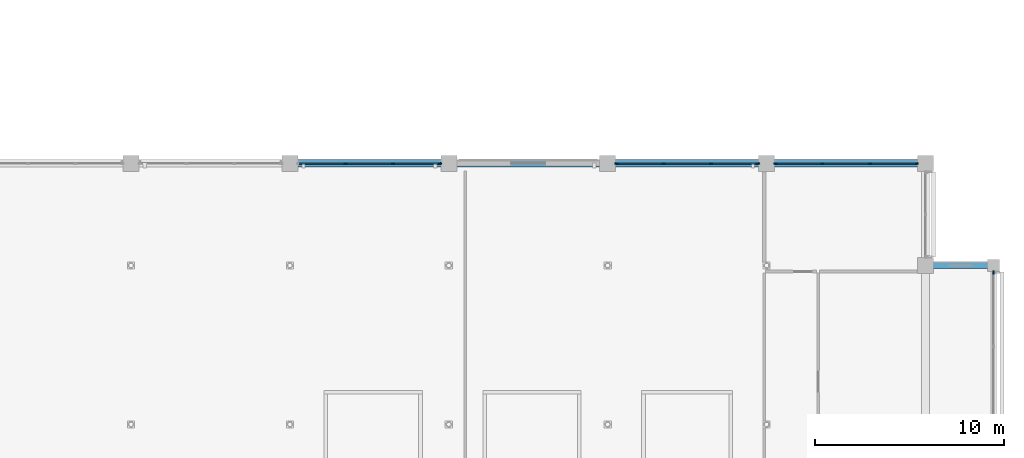
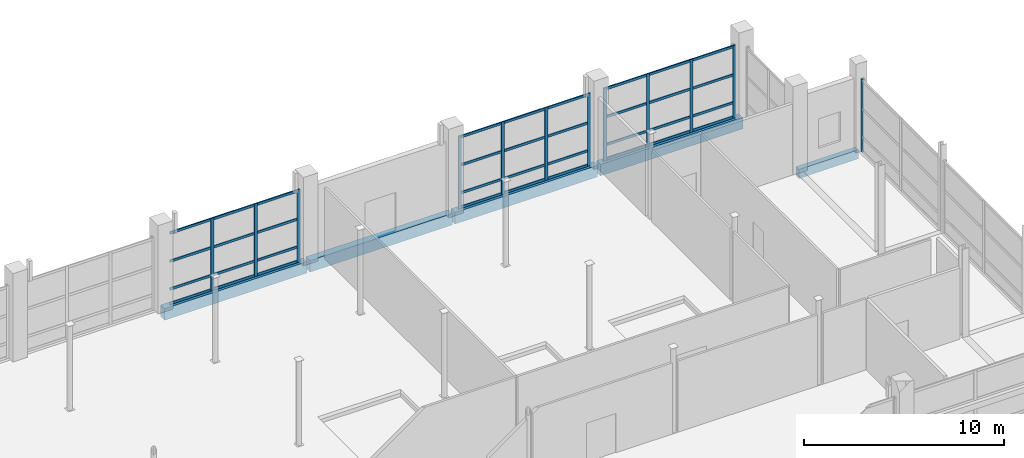
# One storey, part 43 of 140: 48 members, 5 beams, 4 elements without a shape of their own.
"""IFC4 building model written with IfcOpenShell, lengths in metres."""

from ifc_helpers import new_model, si_unit, direction, frame, origin, origin_2d, place, context, subcontext, project, spatial, rectangle, extrude, material, layer, layer_set, material_profile, profile_set, type_object, element, aggregate, save


model = new_model("IFC4")

# Units and contexts
model_context = context("Model", 3, precision=1e-05, world=origin(), true_north=direction((0.0, 1.0)))
body_context = subcontext(model_context, "Body", "Model", "MODEL_VIEW")
ifc_project = project(units=[si_unit("LENGTHUNIT", "METRE"), si_unit("AREAUNIT", "SQUARE_METRE"), si_unit("VOLUMEUNIT", "CUBIC_METRE"), si_unit("PLANEANGLEUNIT", "RADIAN"), si_unit("MASSUNIT", "GRAM", prefix="KILO")], contexts=[model_context])

# Site, building, storey
site_placement = place(None, origin())
site = spatial("IfcSite", under=ifc_project, at=site_placement, CompositionType="ELEMENT")
building_placement = place(site_placement, origin())
building = spatial("IfcBuilding", under=site, at=building_placement, Name="Telukmera Botanical Conservatory", CompositionType="ELEMENT")
storey_placement = place(building_placement, origin())
storey = spatial("IfcBuildingStorey", under=building, at=storey_placement, Name="L00", CompositionType="ELEMENT", Elevation=0.0)

# Beams
ifc_material_1 = material(Name="Concrete C40/50", Category="concrete")
ifc_material_profile_1 = material_profile(ifc_material_1, rectangle(XDim=0.300048828125, YDim=0.550048828125, at=origin_2d()), Name="RC 300x550")
ifc_profile_set_1 = profile_set([ifc_material_profile_1], Name="Concrete C40/50")
beam_type_1 = type_object("IfcBeamType", Name="Beam_B10", PredefinedType="BEAM", material=ifc_profile_set_1)
beam_1_placement = place(storey_placement, frame((168.080078125, 42.800048828125, -0.27490234375), z_axis=(1.0, 0.0, 0.0), x_axis=(0.0, 1.0, 0.0)))
element("IfcBeam", 1, at=beam_1_placement, inside=storey, type_object=beam_type_1, Name="Conservatory Beam beam:V1:L00:east_x:428", PredefinedType="BEAM", context=body_context, shape_type="SweptSolid", body=[
    extrude(rectangle(XDim=0.300048828125, YDim=0.550048828125, at=origin_2d()), origin(), (0.0, 0.0, 1.0), 3.43994140625),
])
ifc_material_profile_2 = material_profile(ifc_material_1, rectangle(XDim=0.39990234375, YDim=0.699951171875, at=origin_2d()), Name="RC 400x700")
ifc_profile_set_2 = profile_set([ifc_material_profile_2], Name="Concrete C40/50")
beam_type_2 = type_object("IfcBeamType", Name="Beam_B7", PredefinedType="BEAM", material=ifc_profile_set_2)
beam_2_placement = place(storey_placement, frame((134.47998046875, 48.199951171875, -0.35009765625), z_axis=(1.0, 0.0, 0.0), x_axis=(0.0, 1.0, 0.0)))
element("IfcBeam", 2, at=beam_2_placement, inside=storey, type_object=beam_type_2, Name="Conservatory Beam beam:V1:L00:gx:482:1344", PredefinedType="BEAM", context=body_context, shape_type="SweptSolid", body=[
    extrude(rectangle(XDim=0.39990234375, YDim=0.699951171875, at=origin_2d()), origin(), (0.0, 0.0, 1.0), 8.239990234375),
])
beam_3_placement = place(storey_placement, frame((142.8798828125, 48.199951171875, -0.35009765625), z_axis=(1.0, 0.0, 0.0), x_axis=(0.0, 1.0, 0.0)))
element("IfcBeam", 3, at=beam_3_placement, inside=storey, type_object=beam_type_2, Name="Conservatory Beam beam:V1:L00:gx:482:1428", PredefinedType="BEAM", context=body_context, shape_type="SweptSolid", body=[
    extrude(rectangle(XDim=0.39990234375, YDim=0.699951171875, at=origin_2d()), origin(), (0.0, 0.0, 1.0), 8.240234375),
])
for number, where, z_axis, x_axis, name in (
    (4, (151.280029296875, 48.199951171875, -0.35009765625), (1.0, 0.0, 0.0), (0.0, 1.0, 0.0), "Conservatory Beam beam:V1:L00:gx:482:1512"),
    (5, (159.679931640625, 48.199951171875, -0.35009765625), (1.0, 0.0, 0.0), (0.0, 1.0, 0.0), "Conservatory Beam beam:V1:L00:gx:482:1596"),
):
    element("IfcBeam", number, at=place(storey_placement, frame(where, z_axis=z_axis, x_axis=x_axis)), inside=storey, type_object=beam_type_2, Name=name, PredefinedType="BEAM", context=body_context, shape_type="SweptSolid", body=[
        extrude(rectangle(XDim=0.39990234375, YDim=0.699951171875, at=origin_2d()), origin(), (0.0, 0.0, 1.0), 8.239990234375),
    ])

# Curtain wall, members
ifc_material_2 = material(Name="Anodised aluminium 6063-T6", Category="aluminium")
ifc_layer_1 = layer(ifc_material_2, 0.179931640625)
ifc_layer_set_1 = layer_set([ifc_layer_1], Name="Anodised aluminium 6063-T6")
curtain_wall_type_1 = type_object("IfcCurtainWallType", Name="Conservatory Garden Unitised Curtain Wall 2800 Mod", PredefinedType="USERDEFINED", material=ifc_layer_set_1)
curtain_wall_1_placement = place(storey_placement, origin())
curtain_wall_1 = element("IfcCurtainWall", 6, at=curtain_wall_1_placement, inside=storey, type_object=curtain_wall_type_1, Name="Unitised Curtain Wall CW02 V1:L00:N3", ObjectType="UNITISED CURTAIN WALL", PredefinedType="USERDEFINED")
ifc_material_profile_3 = material_profile(ifc_material_2, rectangle(XDim=0.070068359375, YDim=0.179931640625, at=origin_2d()), Name="ALU MULL 70x180")
ifc_profile_set_3 = profile_set([ifc_material_profile_3], Name="Anodised aluminium 6063-T6")
member_type_1 = type_object("IfcMemberType", Name="Curtain Wall Extruded Mullion 70x180", PredefinedType="MULLION", material=ifc_profile_set_3)
member_1_placement = place(storey_placement, frame((137.34228515625, 48.199951171875, 0.0), z_axis=(0.0, 0.0, 1.0), x_axis=(0.0, 1.0, 0.0)))
member_1 = element("IfcMember", 7, at=member_1_placement, type_object=member_type_1, Name="CW02 mullion 2", PredefinedType="MULLION", context=body_context, shape_type="SweptSolid", body=[
    extrude(rectangle(XDim=0.070068359375, YDim=0.179931640625, at=origin_2d()), origin(), (0.0, 0.0, 1.0), 4.449951171875),
])
member_2_placement = place(storey_placement, frame((139.857666015625, 48.199951171875, 0.0), z_axis=(0.0, 0.0, 1.0), x_axis=(0.0, 1.0, 0.0)))
member_2 = element("IfcMember", 8, at=member_2_placement, type_object=member_type_1, Name="CW02 mullion 3", PredefinedType="MULLION", context=body_context, shape_type="SweptSolid", body=[
    extrude(rectangle(XDim=0.070068359375, YDim=0.179931640625, at=origin_2d()), origin(), (0.0, 0.0, 1.0), 4.449951171875),
])
member_3_placement = place(storey_placement, frame((142.337890625, 48.199951171875, 0.0), z_axis=(0.0, 0.0, 1.0), x_axis=(0.0, 1.0, 0.0)))
member_3 = element("IfcMember", 9, at=member_3_placement, type_object=member_type_1, Name="CW02 mullion 4", PredefinedType="MULLION", context=body_context, shape_type="SweptSolid", body=[
    extrude(rectangle(XDim=0.070068359375, YDim=0.179931640625, at=origin_2d()), origin(), (0.0, 0.0, 1.0), 4.449951171875),
])

curtain_wall_2_placement = place(storey_placement, origin())
curtain_wall_2 = element("IfcCurtainWall", 10, at=curtain_wall_2_placement, inside=storey, type_object=curtain_wall_type_1, Name="Unitised Curtain Wall CW02 V1:L00:N5", ObjectType="UNITISED CURTAIN WALL", PredefinedType="USERDEFINED")
member_4_placement = place(storey_placement, frame((151.662109375, 48.199951171875, 0.0), z_axis=(0.0, 0.0, 1.0), x_axis=(0.0, 1.0, 0.0)))
member_4 = element("IfcMember", 11, at=member_4_placement, type_object=member_type_1, Name="CW02 mullion 1", PredefinedType="MULLION", context=body_context, shape_type="SweptSolid", body=[
    extrude(rectangle(XDim=0.070068359375, YDim=0.179931640625, at=origin_2d()), origin(), (0.0, 0.0, 1.0), 4.449951171875),
])
member_5_placement = place(storey_placement, frame((154.142333984375, 48.199951171875, 0.0), z_axis=(0.0, 0.0, 1.0), x_axis=(0.0, 1.0, 0.0)))
member_5 = element("IfcMember", 12, at=member_5_placement, type_object=member_type_1, Name="CW02 mullion 2", PredefinedType="MULLION", context=body_context, shape_type="SweptSolid", body=[
    extrude(rectangle(XDim=0.070068359375, YDim=0.179931640625, at=origin_2d()), origin(), (0.0, 0.0, 1.0), 4.449951171875),
])
member_6_placement = place(storey_placement, frame((156.65771484375, 48.199951171875, 0.0), z_axis=(0.0, 0.0, 1.0), x_axis=(0.0, 1.0, 0.0)))
member_6 = element("IfcMember", 13, at=member_6_placement, type_object=member_type_1, Name="CW02 mullion 3", PredefinedType="MULLION", context=body_context, shape_type="SweptSolid", body=[
    extrude(rectangle(XDim=0.070068359375, YDim=0.179931640625, at=origin_2d()), origin(), (0.0, 0.0, 1.0), 4.449951171875),
])
member_7_placement = place(storey_placement, frame((159.137939453125, 48.199951171875, 0.0), z_axis=(0.0, 0.0, 1.0), x_axis=(0.0, 1.0, 0.0)))
member_7 = element("IfcMember", 14, at=member_7_placement, type_object=member_type_1, Name="CW02 mullion 4", PredefinedType="MULLION", context=body_context, shape_type="SweptSolid", body=[
    extrude(rectangle(XDim=0.070068359375, YDim=0.179931640625, at=origin_2d()), origin(), (0.0, 0.0, 1.0), 4.449951171875),
])

curtain_wall_3_placement = place(storey_placement, origin())
curtain_wall_3 = element("IfcCurtainWall", 15, at=curtain_wall_3_placement, inside=storey, type_object=curtain_wall_type_1, Name="Unitised Curtain Wall CW02 V1:L00:N6", ObjectType="UNITISED CURTAIN WALL", PredefinedType="USERDEFINED")
member_8_placement = place(storey_placement, frame((160.06201171875, 48.199951171875, 0.0), z_axis=(0.0, 0.0, 1.0), x_axis=(0.0, 1.0, 0.0)))
member_8 = element("IfcMember", 16, at=member_8_placement, type_object=member_type_1, Name="CW02 mullion 1", PredefinedType="MULLION", context=body_context, shape_type="SweptSolid", body=[
    extrude(rectangle(XDim=0.070068359375, YDim=0.179931640625, at=origin_2d()), origin(), (0.0, 0.0, 1.0), 4.449951171875),
])
member_9_placement = place(storey_placement, frame((162.542236328125, 48.199951171875, 0.0), z_axis=(0.0, 0.0, 1.0), x_axis=(0.0, 1.0, 0.0)))
member_9 = element("IfcMember", 17, at=member_9_placement, type_object=member_type_1, Name="CW02 mullion 2", PredefinedType="MULLION", context=body_context, shape_type="SweptSolid", body=[
    extrude(rectangle(XDim=0.070068359375, YDim=0.179931640625, at=origin_2d()), origin(), (0.0, 0.0, 1.0), 4.449951171875),
])
member_10_placement = place(storey_placement, frame((165.0576171875, 48.199951171875, 0.0), z_axis=(0.0, 0.0, 1.0), x_axis=(0.0, 1.0, 0.0)))
member_10 = element("IfcMember", 18, at=member_10_placement, type_object=member_type_1, Name="CW02 mullion 3", PredefinedType="MULLION", context=body_context, shape_type="SweptSolid", body=[
    extrude(rectangle(XDim=0.070068359375, YDim=0.179931640625, at=origin_2d()), origin(), (0.0, 0.0, 1.0), 4.449951171875),
])
member_11_placement = place(storey_placement, frame((167.5380859375, 48.199951171875, 0.0), z_axis=(0.0, 0.0, 1.0), x_axis=(0.0, 1.0, 0.0)))
member_11 = element("IfcMember", 19, at=member_11_placement, type_object=member_type_1, Name="CW02 mullion 4", PredefinedType="MULLION", context=body_context, shape_type="SweptSolid", body=[
    extrude(rectangle(XDim=0.070068359375, YDim=0.179931640625, at=origin_2d()), origin(), (0.0, 0.0, 1.0), 4.449951171875),
])

# Curtain wall, member
ifc_layer_2 = layer(ifc_material_2, 0.179931640625)
ifc_layer_set_2 = layer_set([ifc_layer_2], Name="Anodised aluminium 6063-T6")
curtain_wall_type_2 = type_object("IfcCurtainWallType", Name="Conservatory Boulevard Unitised Curtain Wall 3600 Mod", PredefinedType="USERDEFINED", material=ifc_layer_set_2)
curtain_wall_4_placement = place(storey_placement, origin())
curtain_wall_4 = element("IfcCurtainWall", 20, at=curtain_wall_4_placement, inside=storey, type_object=curtain_wall_type_2, Name="Unitised Curtain Wall CW01 V1:L00:E3", ObjectType="UNITISED CURTAIN WALL", PredefinedType="USERDEFINED")
member_12_placement = place(storey_placement, frame((171.60009765625, 42.43798828125, 0.0), z_axis=(0.0, 0.0, 1.0), x_axis=(-1.0, 0.0, 0.0)))
member_12 = element("IfcMember", 21, at=member_12_placement, type_object=member_type_1, Name="CW01 mullion 3", PredefinedType="MULLION", context=body_context, shape_type="SweptSolid", body=[
    extrude(rectangle(XDim=0.070068359375, YDim=0.179931640625, at=origin_2d()), origin(), (0.0, 0.0, 1.0), 4.449951171875),
])
aggregate(curtain_wall_4, [member_12])

# Member
ifc_material_profile_4 = material_profile(ifc_material_2, rectangle(XDim=0.070068359375, YDim=0.14990234375, at=origin_2d()), Name="ALU TRAN 70x150")
ifc_profile_set_4 = profile_set([ifc_material_profile_4], Name="Anodised aluminium 6063-T6")
member_type_2 = type_object("IfcMemberType", Name="Curtain Wall Extruded Transom 70x150", PredefinedType="USERDEFINED", material=ifc_profile_set_4)
member_13_placement = place(storey_placement, frame((134.89697265625, 48.199951171875, 0.074951171875), z_axis=(1.0, 0.0, 0.0), x_axis=(0.0, 1.0, 0.0)))
member_13 = element("IfcMember", 22, at=member_13_placement, type_object=member_type_2, Name="CW02 transom 1.1", ObjectType="TRANSOM", PredefinedType="USERDEFINED", context=body_context, shape_type="SweptSolid", body=[
    extrude(rectangle(XDim=0.070068359375, YDim=0.14990234375, at=origin_2d()), origin(), (0.0, 0.0, 1.0), 2.410400390625),
])

member_14_placement = place(storey_placement, frame((134.89697265625, 48.199951171875, 0.949951171875), z_axis=(1.0, 0.0, 0.0), x_axis=(0.0, 1.0, 0.0)))
member_14 = element("IfcMember", 23, at=member_14_placement, type_object=member_type_2, Name="CW02 transom 1.2", ObjectType="TRANSOM", PredefinedType="USERDEFINED", context=body_context, shape_type="SweptSolid", body=[
    extrude(rectangle(XDim=0.070068359375, YDim=0.14990234375, at=origin_2d()), origin(), (0.0, 0.0, 1.0), 2.410400390625),
])

member_15_placement = place(storey_placement, frame((134.89697265625, 48.199951171875, 2.64990234375), z_axis=(1.0, 0.0, 0.0), x_axis=(0.0, 1.0, 0.0)))
member_15 = element("IfcMember", 24, at=member_15_placement, type_object=member_type_2, Name="CW02 transom 1.3", ObjectType="TRANSOM", PredefinedType="USERDEFINED", context=body_context, shape_type="SweptSolid", body=[
    extrude(rectangle(XDim=0.070068359375, YDim=0.14990234375, at=origin_2d()), origin(), (0.0, 0.0, 1.0), 2.410400390625),
])

member_16_placement = place(storey_placement, frame((134.89697265625, 48.199951171875, 4.375), z_axis=(1.0, 0.0, 0.0), x_axis=(0.0, 1.0, 0.0)))
member_16 = element("IfcMember", 25, at=member_16_placement, type_object=member_type_2, Name="CW02 transom 1.4", ObjectType="TRANSOM", PredefinedType="USERDEFINED", context=body_context, shape_type="SweptSolid", body=[
    extrude(rectangle(XDim=0.070068359375, YDim=0.14990234375, at=origin_2d()), origin(), (0.0, 0.0, 1.0), 2.410400390625),
])

member_17_placement = place(storey_placement, frame((137.37744140625, 48.199951171875, 0.074951171875), z_axis=(1.0, 0.0, 0.0), x_axis=(0.0, 1.0, 0.0)))
member_17 = element("IfcMember", 26, at=member_17_placement, type_object=member_type_2, Name="CW02 transom 2.1", ObjectType="TRANSOM", PredefinedType="USERDEFINED", context=body_context, shape_type="SweptSolid", body=[
    extrude(rectangle(XDim=0.070068359375, YDim=0.14990234375, at=origin_2d()), origin(), (0.0, 0.0, 1.0), 2.4453125),
])

member_18_placement = place(storey_placement, frame((137.37744140625, 48.199951171875, 0.949951171875), z_axis=(1.0, 0.0, 0.0), x_axis=(0.0, 1.0, 0.0)))
member_18 = element("IfcMember", 27, at=member_18_placement, type_object=member_type_2, Name="CW02 transom 2.2", ObjectType="TRANSOM", PredefinedType="USERDEFINED", context=body_context, shape_type="SweptSolid", body=[
    extrude(rectangle(XDim=0.070068359375, YDim=0.14990234375, at=origin_2d()), origin(), (0.0, 0.0, 1.0), 2.4453125),
])

member_19_placement = place(storey_placement, frame((137.37744140625, 48.199951171875, 2.64990234375), z_axis=(1.0, 0.0, 0.0), x_axis=(0.0, 1.0, 0.0)))
member_19 = element("IfcMember", 28, at=member_19_placement, type_object=member_type_2, Name="CW02 transom 2.3", ObjectType="TRANSOM", PredefinedType="USERDEFINED", context=body_context, shape_type="SweptSolid", body=[
    extrude(rectangle(XDim=0.070068359375, YDim=0.14990234375, at=origin_2d()), origin(), (0.0, 0.0, 1.0), 2.4453125),
])

member_20_placement = place(storey_placement, frame((137.37744140625, 48.199951171875, 4.375), z_axis=(1.0, 0.0, 0.0), x_axis=(0.0, 1.0, 0.0)))
member_20 = element("IfcMember", 29, at=member_20_placement, type_object=member_type_2, Name="CW02 transom 2.4", ObjectType="TRANSOM", PredefinedType="USERDEFINED", context=body_context, shape_type="SweptSolid", body=[
    extrude(rectangle(XDim=0.070068359375, YDim=0.14990234375, at=origin_2d()), origin(), (0.0, 0.0, 1.0), 2.4453125),
])

member_21_placement = place(storey_placement, frame((139.892578125, 48.199951171875, 0.074951171875), z_axis=(1.0, 0.0, 0.0), x_axis=(0.0, 1.0, 0.0)))
member_21 = element("IfcMember", 30, at=member_21_placement, type_object=member_type_2, Name="CW02 transom 3.1", ObjectType="TRANSOM", PredefinedType="USERDEFINED", context=body_context, shape_type="SweptSolid", body=[
    extrude(rectangle(XDim=0.070068359375, YDim=0.14990234375, at=origin_2d()), origin(), (0.0, 0.0, 1.0), 2.410400390625),
])

member_22_placement = place(storey_placement, frame((139.892578125, 48.199951171875, 0.949951171875), z_axis=(1.0, 0.0, 0.0), x_axis=(0.0, 1.0, 0.0)))
member_22 = element("IfcMember", 31, at=member_22_placement, type_object=member_type_2, Name="CW02 transom 3.2", ObjectType="TRANSOM", PredefinedType="USERDEFINED", context=body_context, shape_type="SweptSolid", body=[
    extrude(rectangle(XDim=0.070068359375, YDim=0.14990234375, at=origin_2d()), origin(), (0.0, 0.0, 1.0), 2.410400390625),
])

member_23_placement = place(storey_placement, frame((139.892578125, 48.199951171875, 2.64990234375), z_axis=(1.0, 0.0, 0.0), x_axis=(0.0, 1.0, 0.0)))
member_23 = element("IfcMember", 32, at=member_23_placement, type_object=member_type_2, Name="CW02 transom 3.3", ObjectType="TRANSOM", PredefinedType="USERDEFINED", context=body_context, shape_type="SweptSolid", body=[
    extrude(rectangle(XDim=0.070068359375, YDim=0.14990234375, at=origin_2d()), origin(), (0.0, 0.0, 1.0), 2.410400390625),
])

member_24_placement = place(storey_placement, frame((139.892578125, 48.199951171875, 4.375), z_axis=(1.0, 0.0, 0.0), x_axis=(0.0, 1.0, 0.0)))
member_24 = element("IfcMember", 33, at=member_24_placement, type_object=member_type_2, Name="CW02 transom 3.4", ObjectType="TRANSOM", PredefinedType="USERDEFINED", context=body_context, shape_type="SweptSolid", body=[
    extrude(rectangle(XDim=0.070068359375, YDim=0.14990234375, at=origin_2d()), origin(), (0.0, 0.0, 1.0), 2.410400390625),
])

aggregate(curtain_wall_1, [member_1, member_2, member_3, member_13, member_14, member_15, member_16, member_17, member_18, member_19, member_20, member_21, member_22, member_23, member_24])

member_25_placement = place(storey_placement, frame((151.697021484375, 48.199951171875, 0.074951171875), z_axis=(1.0, 0.0, 0.0), x_axis=(0.0, 1.0, 0.0)))
member_25 = element("IfcMember", 34, at=member_25_placement, type_object=member_type_2, Name="CW02 transom 1.1", ObjectType="TRANSOM", PredefinedType="USERDEFINED", context=body_context, shape_type="SweptSolid", body=[
    extrude(rectangle(XDim=0.070068359375, YDim=0.14990234375, at=origin_2d()), origin(), (0.0, 0.0, 1.0), 2.410400390625),
])

member_26_placement = place(storey_placement, frame((151.697021484375, 48.199951171875, 0.949951171875), z_axis=(1.0, 0.0, 0.0), x_axis=(0.0, 1.0, 0.0)))
member_26 = element("IfcMember", 35, at=member_26_placement, type_object=member_type_2, Name="CW02 transom 1.2", ObjectType="TRANSOM", PredefinedType="USERDEFINED", context=body_context, shape_type="SweptSolid", body=[
    extrude(rectangle(XDim=0.070068359375, YDim=0.14990234375, at=origin_2d()), origin(), (0.0, 0.0, 1.0), 2.410400390625),
])

member_27_placement = place(storey_placement, frame((151.697021484375, 48.199951171875, 2.64990234375), z_axis=(1.0, 0.0, 0.0), x_axis=(0.0, 1.0, 0.0)))
member_27 = element("IfcMember", 36, at=member_27_placement, type_object=member_type_2, Name="CW02 transom 1.3", ObjectType="TRANSOM", PredefinedType="USERDEFINED", context=body_context, shape_type="SweptSolid", body=[
    extrude(rectangle(XDim=0.070068359375, YDim=0.14990234375, at=origin_2d()), origin(), (0.0, 0.0, 1.0), 2.410400390625),
])

member_28_placement = place(storey_placement, frame((151.697021484375, 48.199951171875, 4.375), z_axis=(1.0, 0.0, 0.0), x_axis=(0.0, 1.0, 0.0)))
member_28 = element("IfcMember", 37, at=member_28_placement, type_object=member_type_2, Name="CW02 transom 1.4", ObjectType="TRANSOM", PredefinedType="USERDEFINED", context=body_context, shape_type="SweptSolid", body=[
    extrude(rectangle(XDim=0.070068359375, YDim=0.14990234375, at=origin_2d()), origin(), (0.0, 0.0, 1.0), 2.410400390625),
])

member_29_placement = place(storey_placement, frame((154.17724609375, 48.199951171875, 0.074951171875), z_axis=(1.0, 0.0, 0.0), x_axis=(0.0, 1.0, 0.0)))
member_29 = element("IfcMember", 38, at=member_29_placement, type_object=member_type_2, Name="CW02 transom 2.1", ObjectType="TRANSOM", PredefinedType="USERDEFINED", context=body_context, shape_type="SweptSolid", body=[
    extrude(rectangle(XDim=0.070068359375, YDim=0.14990234375, at=origin_2d()), origin(), (0.0, 0.0, 1.0), 2.4453125),
])

member_30_placement = place(storey_placement, frame((154.17724609375, 48.199951171875, 0.949951171875), z_axis=(1.0, 0.0, 0.0), x_axis=(0.0, 1.0, 0.0)))
member_30 = element("IfcMember", 39, at=member_30_placement, type_object=member_type_2, Name="CW02 transom 2.2", ObjectType="TRANSOM", PredefinedType="USERDEFINED", context=body_context, shape_type="SweptSolid", body=[
    extrude(rectangle(XDim=0.070068359375, YDim=0.14990234375, at=origin_2d()), origin(), (0.0, 0.0, 1.0), 2.4453125),
])

member_31_placement = place(storey_placement, frame((154.17724609375, 48.199951171875, 2.64990234375), z_axis=(1.0, 0.0, 0.0), x_axis=(0.0, 1.0, 0.0)))
member_31 = element("IfcMember", 40, at=member_31_placement, type_object=member_type_2, Name="CW02 transom 2.3", ObjectType="TRANSOM", PredefinedType="USERDEFINED", context=body_context, shape_type="SweptSolid", body=[
    extrude(rectangle(XDim=0.070068359375, YDim=0.14990234375, at=origin_2d()), origin(), (0.0, 0.0, 1.0), 2.4453125),
])

member_32_placement = place(storey_placement, frame((154.17724609375, 48.199951171875, 4.375), z_axis=(1.0, 0.0, 0.0), x_axis=(0.0, 1.0, 0.0)))
member_32 = element("IfcMember", 41, at=member_32_placement, type_object=member_type_2, Name="CW02 transom 2.4", ObjectType="TRANSOM", PredefinedType="USERDEFINED", context=body_context, shape_type="SweptSolid", body=[
    extrude(rectangle(XDim=0.070068359375, YDim=0.14990234375, at=origin_2d()), origin(), (0.0, 0.0, 1.0), 2.4453125),
])

member_33_placement = place(storey_placement, frame((156.692626953125, 48.199951171875, 0.074951171875), z_axis=(1.0, 0.0, 0.0), x_axis=(0.0, 1.0, 0.0)))
member_33 = element("IfcMember", 42, at=member_33_placement, type_object=member_type_2, Name="CW02 transom 3.1", ObjectType="TRANSOM", PredefinedType="USERDEFINED", context=body_context, shape_type="SweptSolid", body=[
    extrude(rectangle(XDim=0.070068359375, YDim=0.14990234375, at=origin_2d()), origin(), (0.0, 0.0, 1.0), 2.410400390625),
])

member_34_placement = place(storey_placement, frame((156.692626953125, 48.199951171875, 0.949951171875), z_axis=(1.0, 0.0, 0.0), x_axis=(0.0, 1.0, 0.0)))
member_34 = element("IfcMember", 43, at=member_34_placement, type_object=member_type_2, Name="CW02 transom 3.2", ObjectType="TRANSOM", PredefinedType="USERDEFINED", context=body_context, shape_type="SweptSolid", body=[
    extrude(rectangle(XDim=0.070068359375, YDim=0.14990234375, at=origin_2d()), origin(), (0.0, 0.0, 1.0), 2.410400390625),
])

member_35_placement = place(storey_placement, frame((156.692626953125, 48.199951171875, 2.64990234375), z_axis=(1.0, 0.0, 0.0), x_axis=(0.0, 1.0, 0.0)))
member_35 = element("IfcMember", 44, at=member_35_placement, type_object=member_type_2, Name="CW02 transom 3.3", ObjectType="TRANSOM", PredefinedType="USERDEFINED", context=body_context, shape_type="SweptSolid", body=[
    extrude(rectangle(XDim=0.070068359375, YDim=0.14990234375, at=origin_2d()), origin(), (0.0, 0.0, 1.0), 2.410400390625),
])

member_36_placement = place(storey_placement, frame((156.692626953125, 48.199951171875, 4.375), z_axis=(1.0, 0.0, 0.0), x_axis=(0.0, 1.0, 0.0)))
member_36 = element("IfcMember", 45, at=member_36_placement, type_object=member_type_2, Name="CW02 transom 3.4", ObjectType="TRANSOM", PredefinedType="USERDEFINED", context=body_context, shape_type="SweptSolid", body=[
    extrude(rectangle(XDim=0.070068359375, YDim=0.14990234375, at=origin_2d()), origin(), (0.0, 0.0, 1.0), 2.410400390625),
])

aggregate(curtain_wall_2, [member_4, member_5, member_6, member_7, member_25, member_26, member_27, member_28, member_29, member_30, member_31, member_32, member_33, member_34, member_35, member_36])

member_37_placement = place(storey_placement, frame((160.096923828125, 48.199951171875, 0.074951171875), z_axis=(1.0, 0.0, 0.0), x_axis=(0.0, 1.0, 0.0)))
member_37 = element("IfcMember", 46, at=member_37_placement, type_object=member_type_2, Name="CW02 transom 1.1", ObjectType="TRANSOM", PredefinedType="USERDEFINED", context=body_context, shape_type="SweptSolid", body=[
    extrude(rectangle(XDim=0.070068359375, YDim=0.14990234375, at=origin_2d()), origin(), (0.0, 0.0, 1.0), 2.410400390625),
])

member_38_placement = place(storey_placement, frame((160.096923828125, 48.199951171875, 0.949951171875), z_axis=(1.0, 0.0, 0.0), x_axis=(0.0, 1.0, 0.0)))
member_38 = element("IfcMember", 47, at=member_38_placement, type_object=member_type_2, Name="CW02 transom 1.2", ObjectType="TRANSOM", PredefinedType="USERDEFINED", context=body_context, shape_type="SweptSolid", body=[
    extrude(rectangle(XDim=0.070068359375, YDim=0.14990234375, at=origin_2d()), origin(), (0.0, 0.0, 1.0), 2.410400390625),
])

member_39_placement = place(storey_placement, frame((160.096923828125, 48.199951171875, 2.64990234375), z_axis=(1.0, 0.0, 0.0), x_axis=(0.0, 1.0, 0.0)))
member_39 = element("IfcMember", 48, at=member_39_placement, type_object=member_type_2, Name="CW02 transom 1.3", ObjectType="TRANSOM", PredefinedType="USERDEFINED", context=body_context, shape_type="SweptSolid", body=[
    extrude(rectangle(XDim=0.070068359375, YDim=0.14990234375, at=origin_2d()), origin(), (0.0, 0.0, 1.0), 2.410400390625),
])

member_40_placement = place(storey_placement, frame((160.096923828125, 48.199951171875, 4.375), z_axis=(1.0, 0.0, 0.0), x_axis=(0.0, 1.0, 0.0)))
member_40 = element("IfcMember", 49, at=member_40_placement, type_object=member_type_2, Name="CW02 transom 1.4", ObjectType="TRANSOM", PredefinedType="USERDEFINED", context=body_context, shape_type="SweptSolid", body=[
    extrude(rectangle(XDim=0.070068359375, YDim=0.14990234375, at=origin_2d()), origin(), (0.0, 0.0, 1.0), 2.410400390625),
])

member_41_placement = place(storey_placement, frame((162.577392578125, 48.199951171875, 0.074951171875), z_axis=(1.0, 0.0, 0.0), x_axis=(0.0, 1.0, 0.0)))
member_41 = element("IfcMember", 50, at=member_41_placement, type_object=member_type_2, Name="CW02 transom 2.1", ObjectType="TRANSOM", PredefinedType="USERDEFINED", context=body_context, shape_type="SweptSolid", body=[
    extrude(rectangle(XDim=0.070068359375, YDim=0.14990234375, at=origin_2d()), origin(), (0.0, 0.0, 1.0), 2.4453125),
])

member_42_placement = place(storey_placement, frame((162.577392578125, 48.199951171875, 0.949951171875), z_axis=(1.0, 0.0, 0.0), x_axis=(0.0, 1.0, 0.0)))
member_42 = element("IfcMember", 51, at=member_42_placement, type_object=member_type_2, Name="CW02 transom 2.2", ObjectType="TRANSOM", PredefinedType="USERDEFINED", context=body_context, shape_type="SweptSolid", body=[
    extrude(rectangle(XDim=0.070068359375, YDim=0.14990234375, at=origin_2d()), origin(), (0.0, 0.0, 1.0), 2.4453125),
])

member_43_placement = place(storey_placement, frame((162.577392578125, 48.199951171875, 2.64990234375), z_axis=(1.0, 0.0, 0.0), x_axis=(0.0, 1.0, 0.0)))
member_43 = element("IfcMember", 52, at=member_43_placement, type_object=member_type_2, Name="CW02 transom 2.3", ObjectType="TRANSOM", PredefinedType="USERDEFINED", context=body_context, shape_type="SweptSolid", body=[
    extrude(rectangle(XDim=0.070068359375, YDim=0.14990234375, at=origin_2d()), origin(), (0.0, 0.0, 1.0), 2.4453125),
])

member_44_placement = place(storey_placement, frame((162.577392578125, 48.199951171875, 4.375), z_axis=(1.0, 0.0, 0.0), x_axis=(0.0, 1.0, 0.0)))
member_44 = element("IfcMember", 53, at=member_44_placement, type_object=member_type_2, Name="CW02 transom 2.4", ObjectType="TRANSOM", PredefinedType="USERDEFINED", context=body_context, shape_type="SweptSolid", body=[
    extrude(rectangle(XDim=0.070068359375, YDim=0.14990234375, at=origin_2d()), origin(), (0.0, 0.0, 1.0), 2.4453125),
])

member_45_placement = place(storey_placement, frame((165.0927734375, 48.199951171875, 0.074951171875), z_axis=(1.0, 0.0, 0.0), x_axis=(0.0, 1.0, 0.0)))
member_45 = element("IfcMember", 54, at=member_45_placement, type_object=member_type_2, Name="CW02 transom 3.1", ObjectType="TRANSOM", PredefinedType="USERDEFINED", context=body_context, shape_type="SweptSolid", body=[
    extrude(rectangle(XDim=0.070068359375, YDim=0.14990234375, at=origin_2d()), origin(), (0.0, 0.0, 1.0), 2.41015625),
])

member_46_placement = place(storey_placement, frame((165.0927734375, 48.199951171875, 0.949951171875), z_axis=(1.0, 0.0, 0.0), x_axis=(0.0, 1.0, 0.0)))
member_46 = element("IfcMember", 55, at=member_46_placement, type_object=member_type_2, Name="CW02 transom 3.2", ObjectType="TRANSOM", PredefinedType="USERDEFINED", context=body_context, shape_type="SweptSolid", body=[
    extrude(rectangle(XDim=0.070068359375, YDim=0.14990234375, at=origin_2d()), origin(), (0.0, 0.0, 1.0), 2.41015625),
])

member_47_placement = place(storey_placement, frame((165.0927734375, 48.199951171875, 2.64990234375), z_axis=(1.0, 0.0, 0.0), x_axis=(0.0, 1.0, 0.0)))
member_47 = element("IfcMember", 56, at=member_47_placement, type_object=member_type_2, Name="CW02 transom 3.3", ObjectType="TRANSOM", PredefinedType="USERDEFINED", context=body_context, shape_type="SweptSolid", body=[
    extrude(rectangle(XDim=0.070068359375, YDim=0.14990234375, at=origin_2d()), origin(), (0.0, 0.0, 1.0), 2.41015625),
])

member_48_placement = place(storey_placement, frame((165.0927734375, 48.199951171875, 4.375), z_axis=(1.0, 0.0, 0.0), x_axis=(0.0, 1.0, 0.0)))
member_48 = element("IfcMember", 57, at=member_48_placement, type_object=member_type_2, Name="CW02 transom 3.4", ObjectType="TRANSOM", PredefinedType="USERDEFINED", context=body_context, shape_type="SweptSolid", body=[
    extrude(rectangle(XDim=0.070068359375, YDim=0.14990234375, at=origin_2d()), origin(), (0.0, 0.0, 1.0), 2.41015625),
])

aggregate(curtain_wall_3, [member_8, member_9, member_10, member_11, member_37, member_38, member_39, member_40, member_41, member_42, member_43, member_44, member_45, member_46, member_47, member_48])

save(model, "model.ifc")
